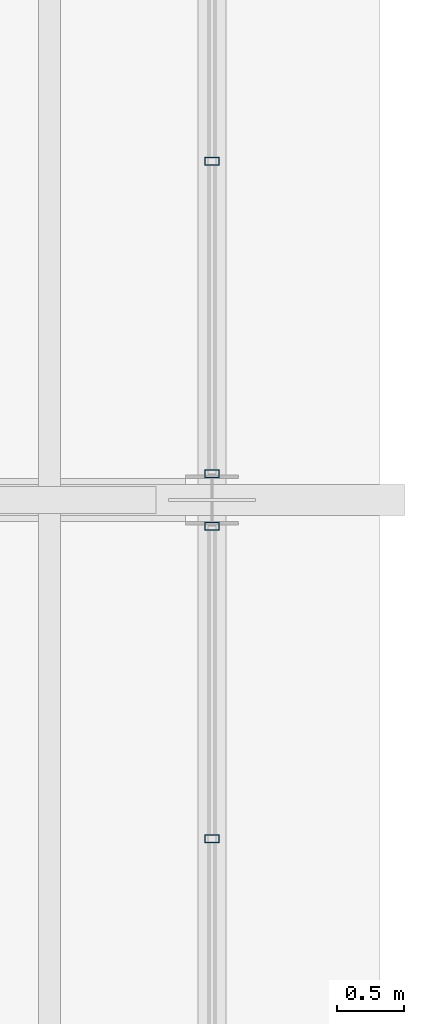
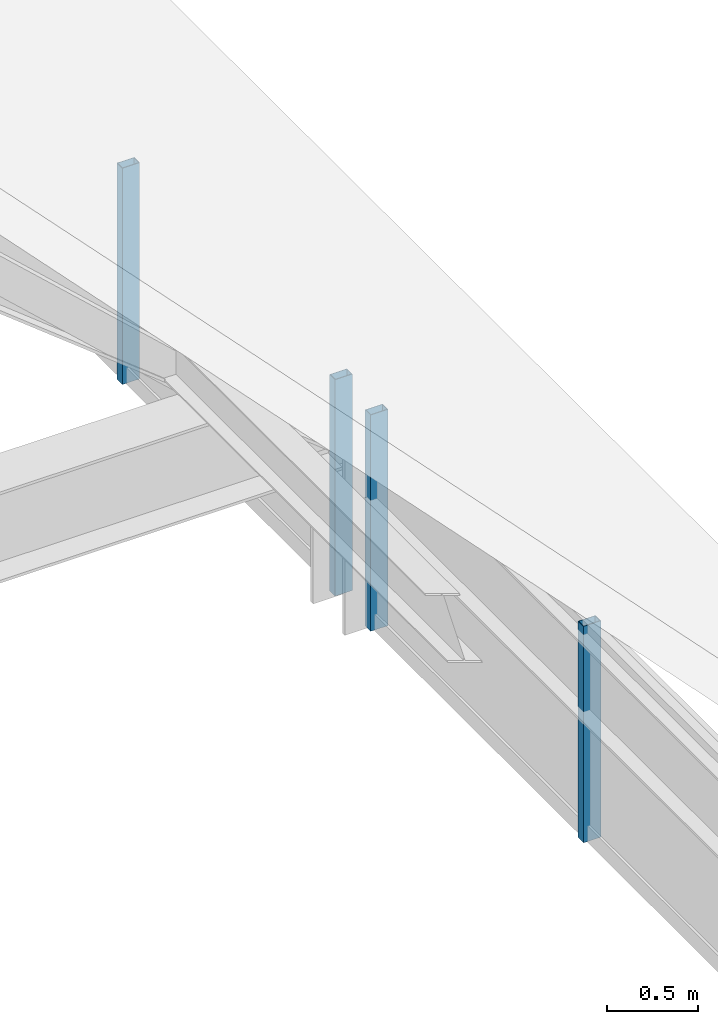
# One storey, part 31 of 44: 4 members, 2 elements without a shape of their own.
"""IFC4 building model written with IfcOpenShell, lengths in metres."""

from ifc_helpers import new_model, si_unit, direction, frame, origin, origin_2d, place, context, subcontext, project, spatial, hollow_rectangle, extrude, material, material_profile, profile_set, type_object, element, aggregate, save


model = new_model("IFC4")

# Units and contexts
model_context = context("Model", 3, precision=1e-05, world=origin(), true_north=direction((0.0, 1.0)))
body_context = subcontext(model_context, "Body", "Model", "MODEL_VIEW")
ifc_project = project(units=[si_unit("LENGTHUNIT", "METRE"), si_unit("AREAUNIT", "SQUARE_METRE"), si_unit("VOLUMEUNIT", "CUBIC_METRE"), si_unit("PLANEANGLEUNIT", "RADIAN"), si_unit("MASSUNIT", "GRAM", prefix="KILO")], contexts=[model_context])

# Site, building, storey
site_placement = place(None, origin())
site = spatial("IfcSite", under=ifc_project, at=site_placement, CompositionType="ELEMENT")
building_placement = place(site_placement, origin())
building = spatial("IfcBuilding", under=site, at=building_placement, Name="Cimatlan Art Gallery", CompositionType="ELEMENT")
storey_placement = place(building_placement, frame((0.0, 0.0, 26.39990234375)))
storey = spatial("IfcBuildingStorey", under=building, at=storey_placement, Name="Roof", CompositionType="ELEMENT", Elevation=26.39990234375)

# Curtain wall, members
ifc_material_1 = material(Name="Anodised bronze unitised curtain wall")
curtain_wall_type = type_object("IfcCurtainWallType", Name="CW-V-07010X01450-B3", PredefinedType="NOTDEFINED", material=ifc_material_1)
curtain_wall_1_placement = place(storey_placement, origin())
curtain_wall_1 = element("IfcCurtainWall", 1, at=curtain_wall_1_placement, inside=storey, type_object=curtain_wall_type, Name="CW-CRW-E-08", PredefinedType="NOTDEFINED")
ifc_material_2 = material(Name="Anodised bronze aluminium 6063-T6", Category="aluminium")
ifc_material_profile = material_profile(ifc_material_2, hollow_rectangle(XDim=0.06005859375, YDim=0.110107421875, WallThickness=0.00341796875, at=origin_2d()), Name="ALU60X110X3")
ifc_profile_set = profile_set([ifc_material_profile], Name="Anodised bronze aluminium 6063-T6")
member_type = type_object("IfcMemberType", Name="CW-MUL-110", PredefinedType="MULLION", material=ifc_profile_set)
member_1_placement = place(storey_placement, frame((99.199951171875, 68.10498046875, 0.0), z_axis=(0.0, 0.0, 1.0), x_axis=(0.0, 1.0, 0.0)))
member_1 = element("IfcMember", 2, at=member_1_placement, type_object=member_type, Name="CW-CRW-E-08-M1", PredefinedType="MULLION", context=body_context, shape_type="SweptSolid", body=[
    extrude(hollow_rectangle(XDim=0.06005859375, YDim=0.110107421875, WallThickness=0.00341796875, at=origin_2d()), origin(), (0.0, 0.0, 1.0), 1.4501953125),
])
member_2_placement = place(storey_placement, frame((99.199951171875, 65.768310546875, 0.0), z_axis=(0.0, 0.0, 1.0), x_axis=(0.0, 1.0, 0.0)))
member_2 = element("IfcMember", 3, at=member_2_placement, type_object=member_type, Name="CW-CRW-E-08-M2", PredefinedType="MULLION", context=body_context, shape_type="SweptSolid", body=[
    extrude(hollow_rectangle(XDim=0.06005859375, YDim=0.110107421875, WallThickness=0.00341796875, at=origin_2d()), origin(), (0.0, 0.0, 1.0), 1.4501953125),
])
aggregate(curtain_wall_1, [member_1, member_2])

curtain_wall_2_placement = place(storey_placement, origin())
curtain_wall_2 = element("IfcCurtainWall", 4, at=curtain_wall_2_placement, inside=storey, type_object=curtain_wall_type, Name="CW-CRW-E-09", PredefinedType="NOTDEFINED")
member_3_placement = place(storey_placement, frame((99.199951171875, 70.831787109375, 0.0), z_axis=(0.0, 0.0, 1.0), x_axis=(0.0, 1.0, 0.0)))
member_3 = element("IfcMember", 5, at=member_3_placement, type_object=member_type, Name="CW-CRW-E-09-M3", PredefinedType="MULLION", context=body_context, shape_type="SweptSolid", body=[
    extrude(hollow_rectangle(XDim=0.06005859375, YDim=0.110107421875, WallThickness=0.00341796875, at=origin_2d()), origin(), (0.0, 0.0, 1.0), 1.4501953125),
])
member_4_placement = place(storey_placement, frame((99.199951171875, 68.4951171875, 0.0), z_axis=(0.0, 0.0, 1.0), x_axis=(0.0, 1.0, 0.0)))
member_4 = element("IfcMember", 6, at=member_4_placement, type_object=member_type, Name="CW-CRW-E-09-M4", PredefinedType="MULLION", context=body_context, shape_type="SweptSolid", body=[
    extrude(hollow_rectangle(XDim=0.06005859375, YDim=0.110107421875, WallThickness=0.00341796875, at=origin_2d()), origin(), (0.0, 0.0, 1.0), 1.4501953125),
])
aggregate(curtain_wall_2, [member_3, member_4])

save(model, "model.ifc")
